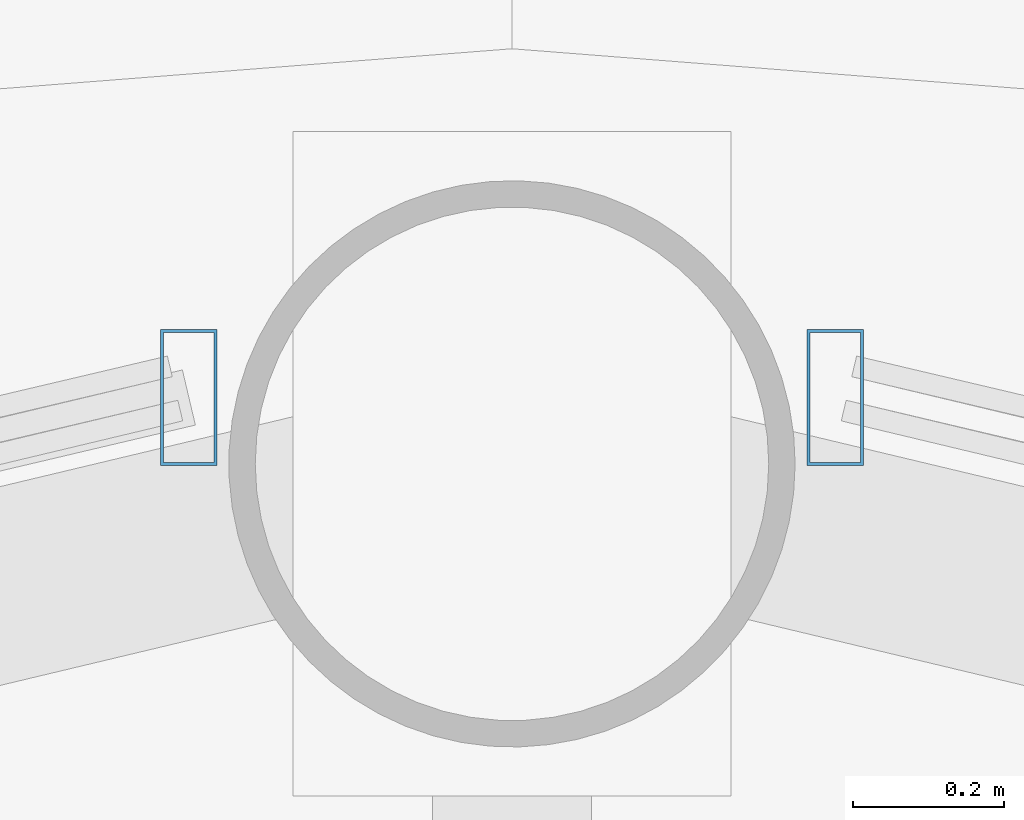
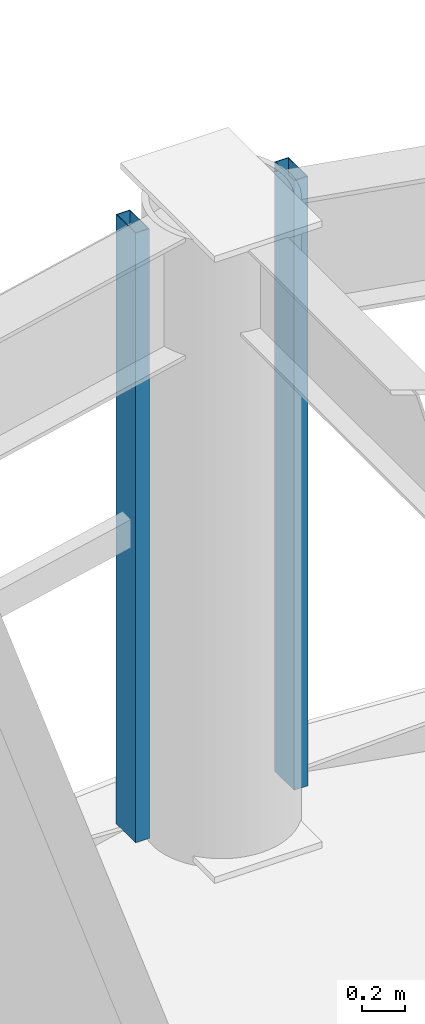
# One storey, part 18 of 32: 2 members, 2 elements without a shape of their own.
"""IFC4 building model written with IfcOpenShell, lengths in metres."""

from ifc_helpers import new_model, si_unit, direction, frame, origin, origin_2d, place, context, subcontext, project, spatial, hollow_rectangle, extrude, material, layer, layer_set, material_profile, profile_set, type_object, element, aggregate, save


model = new_model("IFC4")

# Units and contexts
model_context = context("Model", 3, precision=1e-05, world=origin(), true_north=direction((0.0, 1.0)))
body_context = subcontext(model_context, "Body", "Model", "MODEL_VIEW")
ifc_project = project(units=[si_unit("LENGTHUNIT", "METRE"), si_unit("AREAUNIT", "SQUARE_METRE"), si_unit("VOLUMEUNIT", "CUBIC_METRE"), si_unit("PLANEANGLEUNIT", "RADIAN"), si_unit("MASSUNIT", "GRAM", prefix="KILO")], contexts=[model_context])

# Site, building, storey
site_placement = place(None, origin())
site = spatial("IfcSite", under=ifc_project, at=site_placement, CompositionType="ELEMENT")
building_placement = place(site_placement, origin())
building = spatial("IfcBuilding", under=site, at=building_placement, Name="Vantalir Tower", CompositionType="ELEMENT")
storey_placement = place(building_placement, frame((0.0, 0.0, 108.449951171875)))
storey = spatial("IfcBuildingStorey", under=building, at=storey_placement, Name="L26", CompositionType="ELEMENT", Elevation=108.449951171875)

# Curtain wall, member
ifc_material_1 = material(Name="Champagne-silver PVDF aluminium and double-silver Low-E glass", Category="aluminium")
ifc_layer = layer(ifc_material_1, 0.199951171875)
ifc_layer_set = layer_set([ifc_layer], Name="Champagne-silver PVDF aluminium and double-silver Low-E glass")
curtain_wall_type = type_object("IfcCurtainWallType", Name="CW-DIAMOND-Z2", PredefinedType="USERDEFINED", material=ifc_layer_set)
curtain_wall_1_placement = place(storey_placement, origin())
curtain_wall_1 = element("IfcCurtainWall", 1, at=curtain_wall_1_placement, inside=storey, type_object=curtain_wall_type, Name="L26 Quilted Pyramid-Diamond Curtain Wall S03", ObjectType="UNITISED CURTAIN WALL", PredefinedType="USERDEFINED")
ifc_material_2 = material(Name="Champagne-silver PVDF aluminium 6063-T6", Category="aluminium")
ifc_material_profile = material_profile(ifc_material_2, hollow_rectangle(XDim=0.074951171875, YDim=0.179931640625, WallThickness=0.00390625, at=origin_2d()), Name="Champagne-silver PVDF aluminium 6063-T6")
ifc_profile_set = profile_set([ifc_material_profile], Name="Champagne-silver PVDF aluminium 6063-T6")
member_type = type_object("IfcMemberType", Name="CWM-180x75", PredefinedType="MULLION", material=ifc_profile_set)
member_1_placement = place(storey_placement, frame((31.927978515625, 47.8759765625, 0.045166015625), z_axis=(0.0, 0.0, 1.0), x_axis=(1.0, 0.0, 0.0)))
member_1 = element("IfcMember", 2, at=member_1_placement, type_object=member_type, Name="CW-L26-S03 Mullion 2", PredefinedType="MULLION", context=body_context, shape_type="SweptSolid", body=[
    extrude(hollow_rectangle(XDim=0.074951171875, YDim=0.179931640625, WallThickness=0.00390625, at=origin_2d()), origin(), (0.0, 0.0, 1.0), 3.47998046875),
])
aggregate(curtain_wall_1, [member_1])

curtain_wall_2_placement = place(storey_placement, origin())
curtain_wall_2 = element("IfcCurtainWall", 3, at=curtain_wall_2_placement, inside=storey, type_object=curtain_wall_type, Name="L26 Quilted Pyramid-Diamond Curtain Wall S04", ObjectType="UNITISED CURTAIN WALL", PredefinedType="USERDEFINED")
member_2_placement = place(storey_placement, frame((31.072021484375, 47.8759765625, 0.045166015625), z_axis=(0.0, 0.0, 1.0), x_axis=(1.0, 0.0, 0.0)))
member_2 = element("IfcMember", 4, at=member_2_placement, type_object=member_type, Name="CW-L26-S04 Mullion 1", PredefinedType="MULLION", context=body_context, shape_type="SweptSolid", body=[
    extrude(hollow_rectangle(XDim=0.074951171875, YDim=0.179931640625, WallThickness=0.00390625, at=origin_2d()), origin(), (0.0, 0.0, 1.0), 3.47998046875),
])
aggregate(curtain_wall_2, [member_2])

save(model, "model.ifc")
